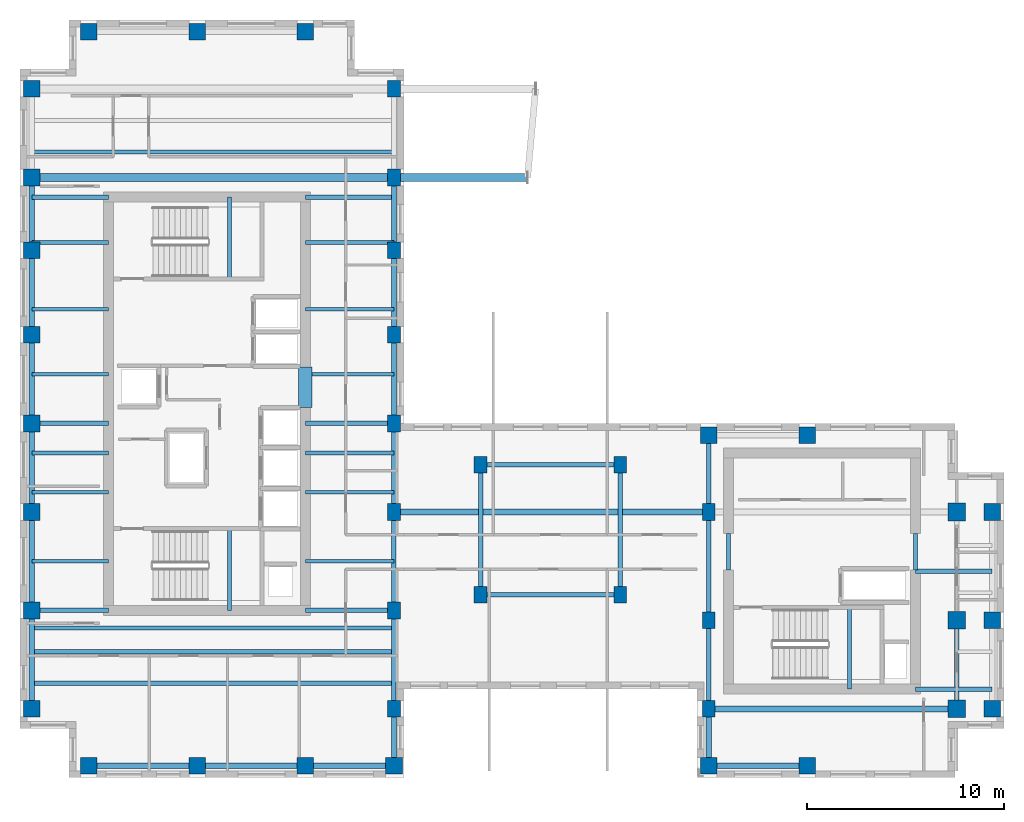
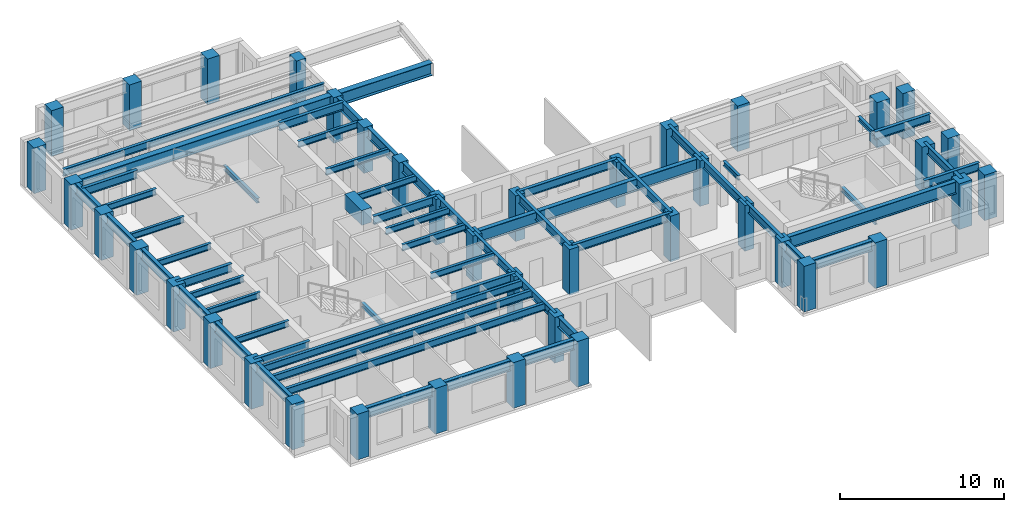
# One storey, part 1 of 11: 60 beams, 40 columns.
"""IFC4 building model written with IfcOpenShell, lengths in metres."""

from ifc_helpers import new_model, si_unit, direction, frame, origin, origin_2d, place, context, subcontext, project, spatial, rectangle, i_section, extrude, source, transform, mapped, material, material_profile, profile_set, type_object, element, save


model = new_model("IFC4")

# Units and contexts
model_context = context("Model", 3, precision=1e-05, world=origin(), true_north=direction((0.0, 1.0)))
body_context = subcontext(model_context, "Body", "Model", "MODEL_VIEW")
ifc_project = project(units=[si_unit("LENGTHUNIT", "METRE"), si_unit("AREAUNIT", "SQUARE_METRE"), si_unit("VOLUMEUNIT", "CUBIC_METRE"), si_unit("PLANEANGLEUNIT", "RADIAN"), si_unit("MASSUNIT", "GRAM", prefix="KILO")], contexts=[model_context])

# Site, building, storey
site_placement = place(None, origin())
site = spatial("IfcSite", under=ifc_project, at=site_placement, CompositionType="ELEMENT")
building_placement = place(site_placement, origin())
building = spatial("IfcBuilding", under=site, at=building_placement, Name="Kharzan Plaza Tower", CompositionType="ELEMENT")
storey_placement = place(building_placement, frame((0.0, 0.0, 219.60009765625)))
storey = spatial("IfcBuildingStorey", under=building, at=storey_placement, Name="L59", CompositionType="ELEMENT", Elevation=219.60009765625)

# Columns
ifc_material_1 = material(Name="Concrete C50/60", Category="concrete")
ifc_material_profile_1 = material_profile(ifc_material_1, rectangle(XDim=0.89990234375, YDim=0.89990234375, at=origin_2d()), Name="RC-IC900x900")
ifc_profile_set_1 = profile_set([ifc_material_profile_1], Name="Concrete C50/60")
column_type_1 = type_object("IfcColumnType", Name="COL-IC900", PredefinedType="COLUMN", material=ifc_profile_set_1)
shared_shape_1 = source(origin(), body_context, "Body", "SweptSolid", [
    extrude(rectangle(XDim=0.89990234375, YDim=0.89990234375, at=origin_2d()), origin(), (0.0, 0.0, 1.0), 3.39990234375),
])
for number, where, z_axis, x_axis, name in (
    (1, (47.60009765625, 13.5, 0.0), (0.0, 0.0, 1.0), (1.0, 0.0, 0.0), "L59 Structural Column TCBI-135"),
    (2, (47.60009765625, 3.5, 0.0), (0.0, 0.0, 1.0), (1.0, 0.0, 0.0), "L59 Structural Column TCBI-35"),
    (3, (47.60009765625, 8.0, 0.0), (0.0, 0.0, 1.0), (1.0, 0.0, 0.0), "L59 Structural Column TCBI-80"),
):
    element("IfcColumn", number, at=place(storey_placement, frame(where, z_axis=z_axis, x_axis=x_axis)), inside=storey, type_object=column_type_1, Name=name, PredefinedType="COLUMN", context=body_context, shape_type="MappedRepresentation", body=[
        mapped(shared_shape_1, transform((0.0, 0.0, 0.0), x_axis=(1.0, 0.0, 0.0), y_axis=(0.0, 1.0, 0.0), z_axis=(0.0, 0.0, 1.0))),
    ])
ifc_material_profile_2 = material_profile(ifc_material_1, rectangle(XDim=0.64990234375, YDim=0.85009765625, at=origin_2d()), Name="RC-SC850x650")
ifc_profile_set_2 = profile_set([ifc_material_profile_2], Name="Concrete C50/60")
column_type_2 = type_object("IfcColumnType", Name="COL-SC850", PredefinedType="COLUMN", material=ifc_profile_set_2)
shared_shape_2 = source(origin(), body_context, "Body", "SweptSolid", [
    extrude(rectangle(XDim=0.64990234375, YDim=0.85009765625, at=origin_2d()), origin(), (0.0, 0.0, 1.0), 3.39990234375),
])
for number, where, z_axis, x_axis, name in (
    (4, (19.0, 13.5, 0.0), (0.0, 0.0, 1.0), (1.0, 0.0, 0.0), "L59 Structural Column TCA-135"),
    (5, (19.0, 18.0, 0.0), (0.0, 0.0, 1.0), (1.0, 0.0, 0.0), "L59 Structural Column TCA-180"),
    (6, (19.0, 22.5, 0.0), (0.0, 0.0, 1.0), (1.0, 0.0, 0.0), "L59 Structural Column TCA-225"),
    (7, (19.0, 26.800048828125, 0.0), (0.0, 0.0, 1.0), (1.0, 0.0, 0.0), "L59 Structural Column TCA-268"),
    (8, (19.0, 30.5, 0.0), (0.0, 0.0, 1.0), (1.0, 0.0, 0.0), "L59 Structural Column TCA-305"),
    (9, (19.0, 3.5, 0.0), (0.0, 0.0, 1.0), (1.0, 0.0, 0.0), "L59 Structural Column TCA-35"),
    (10, (19.0, 35.0, 0.0), (0.0, 0.0, 1.0), (1.0, 0.0, 0.0), "L59 Structural Column TCA-350"),
    (11, (19.0, 8.5, 0.0), (0.0, 0.0, 1.0), (1.0, 0.0, 0.0), "L59 Structural Column TCA-85"),
    (12, (35.0, 13.5, 0.0), (0.0, 0.0, 1.0), (1.0, 0.0, 0.0), "L59 Structural Column TCBS-135"),
    (13, (35.0, 3.5, 0.0), (0.0, 0.0, 1.0), (1.0, 0.0, 0.0), "L59 Structural Column TCBS-35"),
    (14, (35.0, 8.0, 0.0), (0.0, 0.0, 1.0), (1.0, 0.0, 0.0), "L59 Structural Column TCBS-80"),
    (15, (23.39990234375, 15.89990234375, 0.0), (0.0, 0.0, 1.0), (1.0, 0.0, 0.0), "L59 Structural Column TCSP-234-159"),
    (16, (23.39990234375, 9.300048828125, 0.0), (0.0, 0.0, 1.0), (1.0, 0.0, 0.0), "L59 Structural Column TCSP-234-93"),
    (17, (30.5, 15.89990234375, 0.0), (0.0, 0.0, 1.0), (1.0, 0.0, 0.0), "L59 Structural Column TCSP-305-159"),
    (18, (30.5, 9.300048828125, 0.0), (0.0, 0.0, 1.0), (1.0, 0.0, 0.0), "L59 Structural Column TCSP-305-93"),
):
    element("IfcColumn", number, at=place(storey_placement, frame(where, z_axis=z_axis, x_axis=x_axis)), inside=storey, type_object=column_type_2, Name=name, PredefinedType="COLUMN", context=body_context, shape_type="MappedRepresentation", body=[
        mapped(shared_shape_2, transform((0.0, 0.0, 0.0), x_axis=(1.0, 0.0, 0.0), y_axis=(0.0, 1.0, 0.0), z_axis=(0.0, 0.0, 1.0))),
    ])
ifc_material_profile_3 = material_profile(ifc_material_1, rectangle(XDim=0.85009765625, YDim=0.85009765625, at=origin_2d()), Name="RC-TC850x850")
ifc_profile_set_3 = profile_set([ifc_material_profile_3], Name="Concrete C50/60")
column_type_3 = type_object("IfcColumnType", Name="COL-TC850", PredefinedType="COLUMN", material=ifc_profile_set_3)
shared_shape_3 = source(origin(), body_context, "Body", "SweptSolid", [
    extrude(rectangle(XDim=0.85009765625, YDim=0.85009765625, at=origin_2d()), origin(), (0.0, 0.0, 1.0), 3.39990234375),
])
for number, where, z_axis, x_axis, name in (
    (19, (35.0, 17.39990234375, 0.0), (0.0, 0.0, 1.0), (1.0, 0.0, 0.0), "L59 Structural Column TCBN-350-174"),
    (20, (40.0, 17.39990234375, 0.0), (0.0, 0.0, 1.0), (1.0, 0.0, 0.0), "L59 Structural Column TCBN-400-174"),
    (21, (49.39990234375, 13.5, 0.0), (0.0, 0.0, 1.0), (1.0, 0.0, 0.0), "L59 Structural Column TCE-494-135"),
    (22, (49.39990234375, 3.5, 0.0), (0.0, 0.0, 1.0), (1.0, 0.0, 0.0), "L59 Structural Column TCE-494-35"),
    (23, (49.39990234375, 8.0, 0.0), (0.0, 0.0, 1.0), (1.0, 0.0, 0.0), "L59 Structural Column TCE-494-80"),
    (24, (14.5, 37.89990234375, 0.0), (0.0, 0.0, 1.0), (1.0, 0.0, 0.0), "L59 Structural Column TCN-145-379"),
    (25, (3.5, 37.89990234375, 0.0), (0.0, 0.0, 1.0), (1.0, 0.0, 0.0), "L59 Structural Column TCN-35-379"),
    (26, (9.0, 37.89990234375, 0.0), (0.0, 0.0, 1.0), (1.0, 0.0, 0.0), "L59 Structural Column TCN-90-379"),
    (27, (14.5, 0.60009765625, 0.0), (0.0, 0.0, 1.0), (1.0, 0.0, 0.0), "L59 Structural Column TCS-145"),
    (28, (19.0, 0.60009765625, 0.0), (0.0, 0.0, 1.0), (1.0, 0.0, 0.0), "L59 Structural Column TCS-190"),
    (29, (3.5, 0.60009765625, 0.0), (0.0, 0.0, 1.0), (1.0, 0.0, 0.0), "L59 Structural Column TCS-35"),
    (30, (35.0, 0.60009765625, 0.0), (0.0, 0.0, 1.0), (1.0, 0.0, 0.0), "L59 Structural Column TCS-350"),
    (31, (40.0, 0.60009765625, 0.0), (0.0, 0.0, 1.0), (1.0, 0.0, 0.0), "L59 Structural Column TCS-400"),
    (32, (9.0, 0.60009765625, 0.0), (0.0, 0.0, 1.0), (1.0, 0.0, 0.0), "L59 Structural Column TCS-90"),
    (33, (0.60009765625, 13.5, 0.0), (0.0, 0.0, 1.0), (1.0, 0.0, 0.0), "L59 Structural Column TCW-135"),
    (34, (0.60009765625, 18.0, 0.0), (0.0, 0.0, 1.0), (1.0, 0.0, 0.0), "L59 Structural Column TCW-180"),
    (35, (0.60009765625, 22.5, 0.0), (0.0, 0.0, 1.0), (1.0, 0.0, 0.0), "L59 Structural Column TCW-225"),
    (36, (0.60009765625, 26.800048828125, 0.0), (0.0, 0.0, 1.0), (1.0, 0.0, 0.0), "L59 Structural Column TCW-268"),
    (37, (0.60009765625, 30.5, 0.0), (0.0, 0.0, 1.0), (1.0, 0.0, 0.0), "L59 Structural Column TCW-305"),
    (38, (0.60009765625, 3.5, 0.0), (0.0, 0.0, 1.0), (1.0, 0.0, 0.0), "L59 Structural Column TCW-35"),
    (39, (0.60009765625, 35.0, 0.0), (0.0, 0.0, 1.0), (1.0, 0.0, 0.0), "L59 Structural Column TCW-350"),
    (40, (0.60009765625, 8.5, 0.0), (0.0, 0.0, 1.0), (1.0, 0.0, 0.0), "L59 Structural Column TCW-85"),
):
    element("IfcColumn", number, at=place(storey_placement, frame(where, z_axis=z_axis, x_axis=x_axis)), inside=storey, type_object=column_type_3, Name=name, PredefinedType="COLUMN", context=body_context, shape_type="MappedRepresentation", body=[
        mapped(shared_shape_3, transform((0.0, 0.0, 0.0), x_axis=(1.0, 0.0, 0.0), y_axis=(0.0, 1.0, 0.0), z_axis=(0.0, 0.0, 1.0))),
    ])

# Beams
ifc_material_2 = material(Name="Concrete C60/75", Category="concrete")
ifc_material_profile_4 = material_profile(ifc_material_2, rectangle(XDim=0.699951171875, YDim=1.10009765625, at=origin_2d()), Name="RC-CB1100x700")
ifc_profile_set_4 = profile_set([ifc_material_profile_4], Name="Concrete C60/75")
beam_type_1 = type_object("IfcBeamType", Name="BM-RCCB1100", PredefinedType="LINTEL", material=ifc_profile_set_4)
shared_shape_4 = source(origin(), body_context, "Body", "SweptSolid", [
    extrude(rectangle(XDim=0.699951171875, YDim=1.10009765625, at=origin_2d()), origin(), (0.0, 0.0, 1.0), 2.059814453125),
])
beam_1_placement = place(storey_placement, frame((14.5, 18.820068359375, 2.849853515625), z_axis=(0.0, 1.0, 0.0), x_axis=(-1.0, 0.0, 0.0)))
element("IfcBeam", 41, at=beam_1_placement, inside=storey, type_object=beam_type_1, Name="L59 CORE-A RC coupling beam CB1", PredefinedType="LINTEL", context=body_context, shape_type="MappedRepresentation", body=[
    mapped(shared_shape_4, transform((0.0, 0.0, 0.0), x_axis=(1.0, 0.0, 0.0), y_axis=(0.0, 1.0, 0.0), z_axis=(0.0, 0.0, 1.0))),
])
ifc_material_3 = material(Name="Steel S355", Category="steel")
ifc_material_profile_5 = material_profile(ifc_material_3, i_section(OverallWidth=0.205078125, OverallDepth=0.35400390625, WebThickness=0.009521484375, FlangeThickness=0.016845703125, at=origin_2d()), Name="W360x79")
ifc_profile_set_5 = profile_set([ifc_material_profile_5], Name="Steel S355")
beam_type_2 = type_object("IfcBeamType", Name="BM-LNT360", PredefinedType="LINTEL", material=ifc_profile_set_5)
shared_shape_5 = source(origin(), body_context, "Body", "SweptSolid", [
    extrude(i_section(OverallWidth=0.205078125, OverallDepth=0.35400390625, WebThickness=0.009521484375, FlangeThickness=0.016845703125, at=origin_2d()), origin(), (0.0, 0.0, 1.0), 1.849853515625),
])
for number, where, z_axis, x_axis, name in (
    (42, (45.5, 10.550048828125, 3.222900390625), (0.0, 1.0, 0.0), (-1.0, 0.0, 0.0), "L59 CORE-B coupling lintel LN1-WE"),
    (43, (36.0, 10.550048828125, 3.222900390625), (0.0, 1.0, 0.0), (-1.0, 0.0, 0.0), "L59 CORE-B coupling lintel LN1-WW"),
):
    element("IfcBeam", number, at=place(storey_placement, frame(where, z_axis=z_axis, x_axis=x_axis)), inside=storey, type_object=beam_type_2, Name=name, PredefinedType="LINTEL", context=body_context, shape_type="MappedRepresentation", body=[
        mapped(shared_shape_5, transform((0.0, 0.0, 0.0), x_axis=(1.0, 0.0, 0.0), y_axis=(0.0, 1.0, 0.0), z_axis=(0.0, 0.0, 1.0))),
    ])
shared_shape_6 = source(origin(), body_context, "Body", "SweptSolid", [
    extrude(i_section(OverallWidth=0.205078125, OverallDepth=0.35400390625, WebThickness=0.009521484375, FlangeThickness=0.016845703125, at=origin_2d()), origin(), (0.0, 0.0, 1.0), 4.155029296875),
])
for number, where, z_axis, x_axis, name in (
    (44, (10.64990234375, 8.5, 1.4228515625), (0.0, 1.0, 0.0), (-1.0, 0.0, 0.0), "L59 Stair ST-1 Half-Landing Beam"),
    (45, (10.64990234375, 25.344970703125, 1.4228515625), (0.0, 1.0, 0.0), (-1.0, 0.0, 0.0), "L59 Stair ST-2 Half-Landing Beam"),
    (46, (42.14990234375, 4.5, 1.4228515625), (0.0, 1.0, 0.0), (-1.0, 0.0, 0.0), "L59 Stair ST-3 Half-Landing Beam"),
):
    element("IfcBeam", number, at=place(storey_placement, frame(where, z_axis=z_axis, x_axis=x_axis)), inside=storey, type_object=beam_type_2, Name=name, PredefinedType="LINTEL", context=body_context, shape_type="MappedRepresentation", body=[
        mapped(shared_shape_6, transform((0.0, 0.0, 0.0), x_axis=(1.0, 0.0, 0.0), y_axis=(0.0, 1.0, 0.0), z_axis=(0.0, 0.0, 1.0))),
    ])
ifc_material_profile_6 = material_profile(ifc_material_3, i_section(OverallWidth=0.304931640625, OverallDepth=0.9189453125, WebThickness=0.017333984375, FlangeThickness=0.02783203125, at=origin_2d()), Name="W920x253")
ifc_profile_set_6 = profile_set([ifc_material_profile_6], Name="Steel S355")
beam_type_3 = type_object("IfcBeamType", Name="BM-FG920B", PredefinedType="BEAM", material=ifc_profile_set_6)
shared_shape_7 = source(origin(), body_context, "Body", "SweptSolid", [
    extrude(i_section(OverallWidth=0.304931640625, OverallDepth=0.9189453125, WebThickness=0.017333984375, FlangeThickness=0.02783203125, at=origin_2d()), origin(), (0.0, 0.0, 1.0), 12.60009765625),
])
beam_2_placement = place(storey_placement, frame((35.0, 3.5, 2.9404296875), z_axis=(1.0, 0.0, 0.0), x_axis=(0.0, 1.0, 0.0)))
element("IfcBeam", 47, at=beam_2_placement, inside=storey, type_object=beam_type_3, Name="L59 Primary Floor Girder", PredefinedType="BEAM", context=body_context, shape_type="MappedRepresentation", body=[
    mapped(shared_shape_7, transform((0.0, 0.0, 0.0), x_axis=(1.0, 0.0, 0.0), y_axis=(0.0, 1.0, 0.0), z_axis=(0.0, 0.0, 1.0))),
])
shared_shape_8 = source(origin(), body_context, "Body", "SweptSolid", [
    extrude(i_section(OverallWidth=0.304931640625, OverallDepth=0.9189453125, WebThickness=0.017333984375, FlangeThickness=0.02783203125, at=origin_2d()), origin(), (0.0, 0.0, 1.0), 16.0),
])
beam_3_placement = place(storey_placement, frame((19.0, 13.5, 2.9404296875), z_axis=(1.0, 0.0, 0.0), x_axis=(0.0, 1.0, 0.0)))
element("IfcBeam", 48, at=beam_3_placement, inside=storey, type_object=beam_type_3, Name="L59 Primary Floor Girder", PredefinedType="BEAM", context=body_context, shape_type="MappedRepresentation", body=[
    mapped(shared_shape_8, transform((0.0, 0.0, 0.0), x_axis=(1.0, 0.0, 0.0), y_axis=(0.0, 1.0, 0.0), z_axis=(0.0, 0.0, 1.0))),
])
ifc_material_profile_7 = material_profile(ifc_material_3, i_section(OverallWidth=0.2099609375, OverallDepth=0.537109375, WebThickness=0.010986328125, FlangeThickness=0.017333984375, at=origin_2d()), Name="W530x101")
ifc_profile_set_7 = profile_set([ifc_material_profile_7], Name="Steel S355")
beam_type_4 = type_object("IfcBeamType", Name="BM-JST530B", PredefinedType="JOIST", material=ifc_profile_set_7)
shared_shape_9 = source(origin(), body_context, "Body", "SweptSolid", [
    extrude(i_section(OverallWidth=0.2099609375, OverallDepth=0.537109375, WebThickness=0.010986328125, FlangeThickness=0.017333984375, at=origin_2d()), origin(), (0.0, 0.0, 1.0), 18.39990234375),
])
for number, where, z_axis, x_axis, name in (
    (49, (0.60009765625, 4.800048828125, 3.13134765625), (1.0, 0.0, 0.0), (0.0, 1.0, 0.0), "L59 Wing A Composite Joist 01"),
    (50, (0.60009765625, 6.39990234375, 3.13134765625), (1.0, 0.0, 0.0), (0.0, 1.0, 0.0), "L59 Wing A Composite Joist 02"),
    (51, (0.60009765625, 7.60009765625, 3.13134765625), (1.0, 0.0, 0.0), (0.0, 1.0, 0.0), "L59 Wing A Composite Joist 03"),
    (52, (0.60009765625, 31.800048828125, 3.13134765625), (1.0, 0.0, 0.0), (0.0, 1.0, 0.0), "L59 Wing A Composite Joist 04"),
):
    element("IfcBeam", number, at=place(storey_placement, frame(where, z_axis=z_axis, x_axis=x_axis)), inside=storey, type_object=beam_type_4, Name=name, PredefinedType="JOIST", context=body_context, shape_type="MappedRepresentation", body=[
        mapped(shared_shape_9, transform((0.0, 0.0, 0.0), x_axis=(1.0, 0.0, 0.0), y_axis=(0.0, 1.0, 0.0), z_axis=(0.0, 0.0, 1.0))),
    ])
ifc_material_profile_8 = material_profile(ifc_material_3, i_section(OverallWidth=0.194091796875, OverallDepth=0.468994140625, WebThickness=0.011474609375, FlangeThickness=0.0205078125, at=origin_2d()), Name="W460x106")
ifc_profile_set_8 = profile_set([ifc_material_profile_8], Name="Steel S355")
beam_type_5 = type_object("IfcBeamType", Name="BM-JST460", PredefinedType="JOIST", material=ifc_profile_set_8)
shared_shape_10 = source(origin(), body_context, "Body", "SweptSolid", [
    extrude(i_section(OverallWidth=0.194091796875, OverallDepth=0.468994140625, WebThickness=0.011474609375, FlangeThickness=0.0205078125, at=origin_2d()), origin(), (0.0, 0.0, 1.0), 4.5),
])
for number, where, z_axis, x_axis, name in (
    (53, (14.5, 11.0, 3.165283203125), (1.0, 0.0, 0.0), (0.0, 1.0, 0.0), "L59 Wing A East Infill Joist 1"),
    (54, (14.5, 14.5, 3.165283203125), (1.0, 0.0, 0.0), (0.0, 1.0, 0.0), "L59 Wing A East Infill Joist 2"),
    (55, (14.5, 16.5, 3.165283203125), (1.0, 0.0, 0.0), (0.0, 1.0, 0.0), "L59 Wing A East Infill Joist 3"),
    (56, (14.5, 20.5, 3.165283203125), (1.0, 0.0, 0.0), (0.0, 1.0, 0.0), "L59 Wing A East Infill Joist 4"),
    (57, (14.5, 23.800048828125, 3.165283203125), (1.0, 0.0, 0.0), (0.0, 1.0, 0.0), "L59 Wing A East Infill Joist 5"),
    (58, (14.5, 27.199951171875, 3.165283203125), (1.0, 0.0, 0.0), (0.0, 1.0, 0.0), "L59 Wing A East Infill Joist 6"),
):
    element("IfcBeam", number, at=place(storey_placement, frame(where, z_axis=z_axis, x_axis=x_axis)), inside=storey, type_object=beam_type_5, Name=name, PredefinedType="JOIST", context=body_context, shape_type="MappedRepresentation", body=[
        mapped(shared_shape_10, transform((0.0, 0.0, 0.0), x_axis=(1.0, 0.0, 0.0), y_axis=(0.0, 1.0, 0.0), z_axis=(0.0, 0.0, 1.0))),
    ])
shared_shape_11 = source(origin(), body_context, "Body", "SweptSolid", [
    extrude(i_section(OverallWidth=0.194091796875, OverallDepth=0.468994140625, WebThickness=0.011474609375, FlangeThickness=0.0205078125, at=origin_2d()), origin(), (0.0, 0.0, 1.0), 3.89990234375),
])
for number, where, z_axis, x_axis, name in (
    (59, (0.60009765625, 11.0, 3.165283203125), (1.0, 0.0, 0.0), (0.0, 1.0, 0.0), "L59 Wing A West Infill Joist 1"),
    (60, (0.60009765625, 14.5, 3.165283203125), (1.0, 0.0, 0.0), (0.0, 1.0, 0.0), "L59 Wing A West Infill Joist 2"),
    (61, (0.60009765625, 16.5, 3.165283203125), (1.0, 0.0, 0.0), (0.0, 1.0, 0.0), "L59 Wing A West Infill Joist 3"),
    (62, (0.60009765625, 20.5, 3.165283203125), (1.0, 0.0, 0.0), (0.0, 1.0, 0.0), "L59 Wing A West Infill Joist 4"),
    (63, (0.60009765625, 23.800048828125, 3.165283203125), (1.0, 0.0, 0.0), (0.0, 1.0, 0.0), "L59 Wing A West Infill Joist 5"),
    (64, (0.60009765625, 27.199951171875, 3.165283203125), (1.0, 0.0, 0.0), (0.0, 1.0, 0.0), "L59 Wing A West Infill Joist 6"),
):
    element("IfcBeam", number, at=place(storey_placement, frame(where, z_axis=z_axis, x_axis=x_axis)), inside=storey, type_object=beam_type_5, Name=name, PredefinedType="JOIST", context=body_context, shape_type="MappedRepresentation", body=[
        mapped(shared_shape_11, transform((0.0, 0.0, 0.0), x_axis=(1.0, 0.0, 0.0), y_axis=(0.0, 1.0, 0.0), z_axis=(0.0, 0.0, 1.0))),
    ])
ifc_material_profile_9 = material_profile(ifc_material_3, i_section(OverallWidth=0.41796875, OverallDepth=0.93701171875, WebThickness=0.019287109375, FlangeThickness=0.031982421875, at=origin_2d()), Name="W920x342")
ifc_profile_set_9 = profile_set([ifc_material_profile_9], Name="Steel S355")
beam_type_6 = type_object("IfcBeamType", Name="BM-ZTB920", PredefinedType="BEAM", material=ifc_profile_set_9)
shared_shape_12 = source(origin(), body_context, "Body", "SweptSolid", [
    extrude(i_section(OverallWidth=0.41796875, OverallDepth=0.93701171875, WebThickness=0.019287109375, FlangeThickness=0.031982421875, at=origin_2d()), origin(), (0.0, 0.0, 1.0), 18.39990234375),
])
beam_4_placement = place(storey_placement, frame((0.60009765625, 30.5, 2.931396484375), z_axis=(1.0, 0.0, 0.0), x_axis=(0.0, 1.0, 0.0)))
element("IfcBeam", 65, at=beam_4_placement, inside=storey, type_object=beam_type_6, Name="L59 Sky-Terrace Back-Span Girder ZTB1 (L60 G1)", PredefinedType="BEAM", context=body_context, shape_type="MappedRepresentation", body=[
    mapped(shared_shape_12, transform((0.0, 0.0, 0.0), x_axis=(1.0, 0.0, 0.0), y_axis=(0.0, 1.0, 0.0), z_axis=(0.0, 0.0, 1.0))),
])
ifc_material_profile_10 = material_profile(ifc_material_3, i_section(OverallWidth=0.41796875, OverallDepth=0.93701171875, WebThickness=0.019287109375, FlangeThickness=0.031982421875, at=origin_2d()), Name="W920x342")
ifc_profile_set_10 = profile_set([ifc_material_profile_10], Name="Steel S355")
beam_type_7 = type_object("IfcBeamType", Name="BM-ZTG920", PredefinedType="BEAM", material=ifc_profile_set_10)
shared_shape_13 = source(origin(), body_context, "Body", "SweptSolid", [
    extrude(i_section(OverallWidth=0.41796875, OverallDepth=0.93701171875, WebThickness=0.019287109375, FlangeThickness=0.031982421875, at=origin_2d()), origin(), (0.0, 0.0, 1.0), 6.7900390625),
])
beam_5_placement = place(storey_placement, frame((19.0, 30.5, 2.91650390625), z_axis=(1.0, 0.0, 0.0), x_axis=(0.0, 1.0, 0.0)))
element("IfcBeam", 66, at=beam_5_placement, inside=storey, type_object=beam_type_7, Name="L59 Sky-Terrace Cantilever Girder ZTG1 (L60 G1)", PredefinedType="BEAM", context=body_context, shape_type="MappedRepresentation", body=[
    mapped(shared_shape_13, transform((0.0, 0.0, 0.0), x_axis=(1.0, 0.0, 0.0), y_axis=(0.0, 1.0, 0.0), z_axis=(0.0, 0.0, 1.0))),
])
ifc_material_profile_11 = material_profile(ifc_material_3, i_section(OverallWidth=0.22900390625, OverallDepth=0.612060546875, WebThickness=0.011962890625, FlangeThickness=0.01953125, at=origin_2d()), Name="W610x125")
ifc_profile_set_11 = profile_set([ifc_material_profile_11], Name="Steel S355")
beam_type_8 = type_object("IfcBeamType", Name="BM-FG610B", PredefinedType="BEAM", material=ifc_profile_set_11)
shared_shape_14 = source(origin(), body_context, "Body", "SweptSolid", [
    extrude(i_section(OverallWidth=0.22900390625, OverallDepth=0.612060546875, WebThickness=0.011962890625, FlangeThickness=0.01953125, at=origin_2d()), origin(), (0.0, 0.0, 1.0), 4.5),
])
for number, where, z_axis, x_axis, name in (
    (67, (14.5, 8.5, 3.093994140625), (1.0, 0.0, 0.0), (0.0, 1.0, 0.0), "L59 Core-A East Floor Girder 1"),
    (68, (14.5, 18.0, 3.093994140625), (1.0, 0.0, 0.0), (0.0, 1.0, 0.0), "L59 Core-A East Floor Girder 2"),
    (69, (14.5, 29.5, 3.093994140625), (1.0, 0.0, 0.0), (0.0, 1.0, 0.0), "L59 Core-A East Floor Girder 3"),
    (70, (19.0, 13.5, 3.093994140625), (0.0, 1.0, 0.0), (-1.0, 0.0, 0.0), "L59 Interior Frame Girder"),
    (71, (35.0, 3.5, 3.093994140625), (0.0, 1.0, 0.0), (-1.0, 0.0, 0.0), "L59 Interior Frame Girder"),
    (72, (47.60009765625, 3.5, 3.093994140625), (0.0, 1.0, 0.0), (-1.0, 0.0, 0.0), "L59 Interior Frame Girder"),
):
    element("IfcBeam", number, at=place(storey_placement, frame(where, z_axis=z_axis, x_axis=x_axis)), inside=storey, type_object=beam_type_8, Name=name, PredefinedType="BEAM", context=body_context, shape_type="MappedRepresentation", body=[
        mapped(shared_shape_14, transform((0.0, 0.0, 0.0), x_axis=(1.0, 0.0, 0.0), y_axis=(0.0, 1.0, 0.0), z_axis=(0.0, 0.0, 1.0))),
    ])
shared_shape_15 = source(origin(), body_context, "Body", "SweptSolid", [
    extrude(i_section(OverallWidth=0.22900390625, OverallDepth=0.612060546875, WebThickness=0.011962890625, FlangeThickness=0.01953125, at=origin_2d()), origin(), (0.0, 0.0, 1.0), 3.89990234375),
])
for number, where, z_axis, x_axis, name in (
    (73, (0.60009765625, 8.5, 3.093994140625), (1.0, 0.0, 0.0), (0.0, 1.0, 0.0), "L59 Core-A West Floor Girder 1"),
    (74, (0.60009765625, 18.0, 3.093994140625), (1.0, 0.0, 0.0), (0.0, 1.0, 0.0), "L59 Core-A West Floor Girder 2"),
    (75, (0.60009765625, 29.5, 3.093994140625), (1.0, 0.0, 0.0), (0.0, 1.0, 0.0), "L59 Core-A West Floor Girder 3"),
    (76, (45.5, 4.5, 3.093994140625), (1.0, 0.0, 0.0), (0.0, 1.0, 0.0), "L59 Core-B East Floor Girder 1"),
    (77, (45.5, 10.5, 3.093994140625), (1.0, 0.0, 0.0), (0.0, 1.0, 0.0), "L59 Core-B East Floor Girder 2"),
    (78, (35.0, 13.5, 3.093994140625), (0.0, 1.0, 0.0), (-1.0, 0.0, 0.0), "L59 Interior Frame Girder"),
):
    element("IfcBeam", number, at=place(storey_placement, frame(where, z_axis=z_axis, x_axis=x_axis)), inside=storey, type_object=beam_type_8, Name=name, PredefinedType="BEAM", context=body_context, shape_type="MappedRepresentation", body=[
        mapped(shared_shape_15, transform((0.0, 0.0, 0.0), x_axis=(1.0, 0.0, 0.0), y_axis=(0.0, 1.0, 0.0), z_axis=(0.0, 0.0, 1.0))),
    ])
shared_shape_16 = source(origin(), body_context, "Body", "SweptSolid", [
    extrude(i_section(OverallWidth=0.22900390625, OverallDepth=0.612060546875, WebThickness=0.011962890625, FlangeThickness=0.01953125, at=origin_2d()), origin(), (0.0, 0.0, 1.0), 5.0),
])
for number, where, z_axis, x_axis, name in (
    (79, (19.0, 3.5, 3.093994140625), (0.0, 1.0, 0.0), (-1.0, 0.0, 0.0), "L59 Interior Frame Girder"),
    (80, (19.0, 8.5, 3.093994140625), (0.0, 1.0, 0.0), (-1.0, 0.0, 0.0), "L59 Interior Frame Girder"),
):
    element("IfcBeam", number, at=place(storey_placement, frame(where, z_axis=z_axis, x_axis=x_axis)), inside=storey, type_object=beam_type_8, Name=name, PredefinedType="BEAM", context=body_context, shape_type="MappedRepresentation", body=[
        mapped(shared_shape_16, transform((0.0, 0.0, 0.0), x_axis=(1.0, 0.0, 0.0), y_axis=(0.0, 1.0, 0.0), z_axis=(0.0, 0.0, 1.0))),
    ])
shared_shape_17 = source(origin(), body_context, "Body", "SweptSolid", [
    extrude(i_section(OverallWidth=0.22900390625, OverallDepth=0.612060546875, WebThickness=0.011962890625, FlangeThickness=0.01953125, at=origin_2d()), origin(), (0.0, 0.0, 1.0), 6.599853515625),
])
for number, where, z_axis, x_axis, name in (
    (81, (23.39990234375, 9.300048828125, 3.093994140625), (0.0, 1.0, 0.0), (-1.0, 0.0, 0.0), "L59 Interior Frame Girder"),
    (82, (30.5, 9.300048828125, 3.093994140625), (0.0, 1.0, 0.0), (-1.0, 0.0, 0.0), "L59 Interior Frame Girder"),
):
    element("IfcBeam", number, at=place(storey_placement, frame(where, z_axis=z_axis, x_axis=x_axis)), inside=storey, type_object=beam_type_8, Name=name, PredefinedType="BEAM", context=body_context, shape_type="MappedRepresentation", body=[
        mapped(shared_shape_17, transform((0.0, 0.0, 0.0), x_axis=(1.0, 0.0, 0.0), y_axis=(0.0, 1.0, 0.0), z_axis=(0.0, 0.0, 1.0))),
    ])
shared_shape_18 = source(origin(), body_context, "Body", "SweptSolid", [
    extrude(i_section(OverallWidth=0.22900390625, OverallDepth=0.612060546875, WebThickness=0.011962890625, FlangeThickness=0.01953125, at=origin_2d()), origin(), (0.0, 0.0, 1.0), 5.5),
])
beam_6_placement = place(storey_placement, frame((35.0, 8.0, 3.093994140625), z_axis=(0.0, 1.0, 0.0), x_axis=(-1.0, 0.0, 0.0)))
element("IfcBeam", 83, at=beam_6_placement, inside=storey, type_object=beam_type_8, Name="L59 Interior Frame Girder", PredefinedType="BEAM", context=body_context, shape_type="MappedRepresentation", body=[
    mapped(shared_shape_18, transform((0.0, 0.0, 0.0), x_axis=(1.0, 0.0, 0.0), y_axis=(0.0, 1.0, 0.0), z_axis=(0.0, 0.0, 1.0))),
])
shared_shape_19 = source(origin(), body_context, "Body", "SweptSolid", [
    extrude(i_section(OverallWidth=0.22900390625, OverallDepth=0.612060546875, WebThickness=0.011962890625, FlangeThickness=0.01953125, at=origin_2d()), origin(), (0.0, 0.0, 1.0), 7.10009765625),
])
for number, where, z_axis, x_axis, name in (
    (84, (23.39990234375, 9.300048828125, 3.093994140625), (1.0, 0.0, 0.0), (0.0, 1.0, 0.0), "L59 Primary Floor Girder"),
    (85, (23.39990234375, 15.89990234375, 3.093994140625), (1.0, 0.0, 0.0), (0.0, 1.0, 0.0), "L59 Primary Floor Girder"),
):
    element("IfcBeam", number, at=place(storey_placement, frame(where, z_axis=z_axis, x_axis=x_axis)), inside=storey, type_object=beam_type_8, Name=name, PredefinedType="BEAM", context=body_context, shape_type="MappedRepresentation", body=[
        mapped(shared_shape_19, transform((0.0, 0.0, 0.0), x_axis=(1.0, 0.0, 0.0), y_axis=(0.0, 1.0, 0.0), z_axis=(0.0, 0.0, 1.0))),
    ])
ifc_material_profile_12 = material_profile(ifc_material_3, i_section(OverallWidth=0.26708984375, OverallDepth=0.76611328125, WebThickness=0.014892578125, FlangeThickness=0.023681640625, at=origin_2d()), Name="W760x185")
ifc_profile_set_12 = profile_set([ifc_material_profile_12], Name="Steel S355")
beam_type_9 = type_object("IfcBeamType", Name="BM-SP760B", PredefinedType="SPANDREL", material=ifc_profile_set_12)
shared_shape_20 = source(origin(), body_context, "Body", "SweptSolid", [
    extrude(i_section(OverallWidth=0.26708984375, OverallDepth=0.76611328125, WebThickness=0.014892578125, FlangeThickness=0.023681640625, at=origin_2d()), origin(), (0.0, 0.0, 1.0), 5.0),
])
for number, where, z_axis, x_axis, name in (
    (86, (0.60009765625, 3.5, 3.016845703125), (0.0, 1.0, 0.0), (-1.0, 0.0, 0.0), "L59 Perimeter Tube Spandrel"),
    (87, (0.60009765625, 8.5, 3.016845703125), (0.0, 1.0, 0.0), (-1.0, 0.0, 0.0), "L59 Perimeter Tube Spandrel"),
    (88, (35.0, 0.60009765625, 3.016845703125), (1.0, 0.0, 0.0), (0.0, 1.0, 0.0), "L59 Perimeter Tube Spandrel"),
):
    element("IfcBeam", number, at=place(storey_placement, frame(where, z_axis=z_axis, x_axis=x_axis)), inside=storey, type_object=beam_type_9, Name=name, PredefinedType="SPANDREL", context=body_context, shape_type="MappedRepresentation", body=[
        mapped(shared_shape_20, transform((0.0, 0.0, 0.0), x_axis=(1.0, 0.0, 0.0), y_axis=(0.0, 1.0, 0.0), z_axis=(0.0, 0.0, 1.0))),
    ])
shared_shape_21 = source(origin(), body_context, "Body", "SweptSolid", [
    extrude(i_section(OverallWidth=0.26708984375, OverallDepth=0.76611328125, WebThickness=0.014892578125, FlangeThickness=0.023681640625, at=origin_2d()), origin(), (0.0, 0.0, 1.0), 4.5),
])
for number, where, z_axis, x_axis, name in (
    (89, (0.60009765625, 13.5, 3.016845703125), (0.0, 1.0, 0.0), (-1.0, 0.0, 0.0), "L59 Perimeter Tube Spandrel"),
    (90, (0.60009765625, 18.0, 3.016845703125), (0.0, 1.0, 0.0), (-1.0, 0.0, 0.0), "L59 Perimeter Tube Spandrel"),
    (91, (19.0, 18.0, 3.016845703125), (0.0, 1.0, 0.0), (-1.0, 0.0, 0.0), "L59 Perimeter Tube Spandrel"),
    (92, (14.5, 0.60009765625, 3.016845703125), (1.0, 0.0, 0.0), (0.0, 1.0, 0.0), "L59 Perimeter Tube Spandrel"),
):
    element("IfcBeam", number, at=place(storey_placement, frame(where, z_axis=z_axis, x_axis=x_axis)), inside=storey, type_object=beam_type_9, Name=name, PredefinedType="SPANDREL", context=body_context, shape_type="MappedRepresentation", body=[
        mapped(shared_shape_21, transform((0.0, 0.0, 0.0), x_axis=(1.0, 0.0, 0.0), y_axis=(0.0, 1.0, 0.0), z_axis=(0.0, 0.0, 1.0))),
    ])
shared_shape_22 = source(origin(), body_context, "Body", "SweptSolid", [
    extrude(i_section(OverallWidth=0.26708984375, OverallDepth=0.76611328125, WebThickness=0.014892578125, FlangeThickness=0.023681640625, at=origin_2d()), origin(), (0.0, 0.0, 1.0), 4.300048828125),
])
for number, where, z_axis, x_axis, name in (
    (93, (0.60009765625, 22.5, 3.016845703125), (0.0, 1.0, 0.0), (-1.0, 0.0, 0.0), "L59 Perimeter Tube Spandrel"),
    (94, (19.0, 22.5, 3.016845703125), (0.0, 1.0, 0.0), (-1.0, 0.0, 0.0), "L59 Perimeter Tube Spandrel"),
):
    element("IfcBeam", number, at=place(storey_placement, frame(where, z_axis=z_axis, x_axis=x_axis)), inside=storey, type_object=beam_type_9, Name=name, PredefinedType="SPANDREL", context=body_context, shape_type="MappedRepresentation", body=[
        mapped(shared_shape_22, transform((0.0, 0.0, 0.0), x_axis=(1.0, 0.0, 0.0), y_axis=(0.0, 1.0, 0.0), z_axis=(0.0, 0.0, 1.0))),
    ])
shared_shape_23 = source(origin(), body_context, "Body", "SweptSolid", [
    extrude(i_section(OverallWidth=0.26708984375, OverallDepth=0.76611328125, WebThickness=0.014892578125, FlangeThickness=0.023681640625, at=origin_2d()), origin(), (0.0, 0.0, 1.0), 3.699951171875),
])
for number, where, z_axis, x_axis, name in (
    (95, (0.60009765625, 26.800048828125, 3.016845703125), (0.0, 1.0, 0.0), (-1.0, 0.0, 0.0), "L59 Perimeter Tube Spandrel"),
    (96, (19.0, 26.800048828125, 3.016845703125), (0.0, 1.0, 0.0), (-1.0, 0.0, 0.0), "L59 Perimeter Tube Spandrel"),
):
    element("IfcBeam", number, at=place(storey_placement, frame(where, z_axis=z_axis, x_axis=x_axis)), inside=storey, type_object=beam_type_9, Name=name, PredefinedType="SPANDREL", context=body_context, shape_type="MappedRepresentation", body=[
        mapped(shared_shape_23, transform((0.0, 0.0, 0.0), x_axis=(1.0, 0.0, 0.0), y_axis=(0.0, 1.0, 0.0), z_axis=(0.0, 0.0, 1.0))),
    ])
shared_shape_24 = source(origin(), body_context, "Body", "SweptSolid", [
    extrude(i_section(OverallWidth=0.26708984375, OverallDepth=0.76611328125, WebThickness=0.014892578125, FlangeThickness=0.023681640625, at=origin_2d()), origin(), (0.0, 0.0, 1.0), 2.89990234375),
])
for number, where, z_axis, x_axis, name in (
    (97, (19.0, 0.60009765625, 3.016845703125), (0.0, 1.0, 0.0), (-1.0, 0.0, 0.0), "L59 Perimeter Tube Spandrel"),
    (98, (35.0, 0.60009765625, 3.016845703125), (0.0, 1.0, 0.0), (-1.0, 0.0, 0.0), "L59 Perimeter Tube Spandrel"),
):
    element("IfcBeam", number, at=place(storey_placement, frame(where, z_axis=z_axis, x_axis=x_axis)), inside=storey, type_object=beam_type_9, Name=name, PredefinedType="SPANDREL", context=body_context, shape_type="MappedRepresentation", body=[
        mapped(shared_shape_24, transform((0.0, 0.0, 0.0), x_axis=(1.0, 0.0, 0.0), y_axis=(0.0, 1.0, 0.0), z_axis=(0.0, 0.0, 1.0))),
    ])
shared_shape_25 = source(origin(), body_context, "Body", "SweptSolid", [
    extrude(i_section(OverallWidth=0.26708984375, OverallDepth=0.76611328125, WebThickness=0.014892578125, FlangeThickness=0.023681640625, at=origin_2d()), origin(), (0.0, 0.0, 1.0), 5.5),
])
for number, where, z_axis, x_axis, name in (
    (99, (3.5, 0.60009765625, 3.016845703125), (1.0, 0.0, 0.0), (0.0, 1.0, 0.0), "L59 Perimeter Tube Spandrel"),
    (100, (9.0, 0.60009765625, 3.016845703125), (1.0, 0.0, 0.0), (0.0, 1.0, 0.0), "L59 Perimeter Tube Spandrel"),
):
    element("IfcBeam", number, at=place(storey_placement, frame(where, z_axis=z_axis, x_axis=x_axis)), inside=storey, type_object=beam_type_9, Name=name, PredefinedType="SPANDREL", context=body_context, shape_type="MappedRepresentation", body=[
        mapped(shared_shape_25, transform((0.0, 0.0, 0.0), x_axis=(1.0, 0.0, 0.0), y_axis=(0.0, 1.0, 0.0), z_axis=(0.0, 0.0, 1.0))),
    ])

save(model, "model.ifc")
